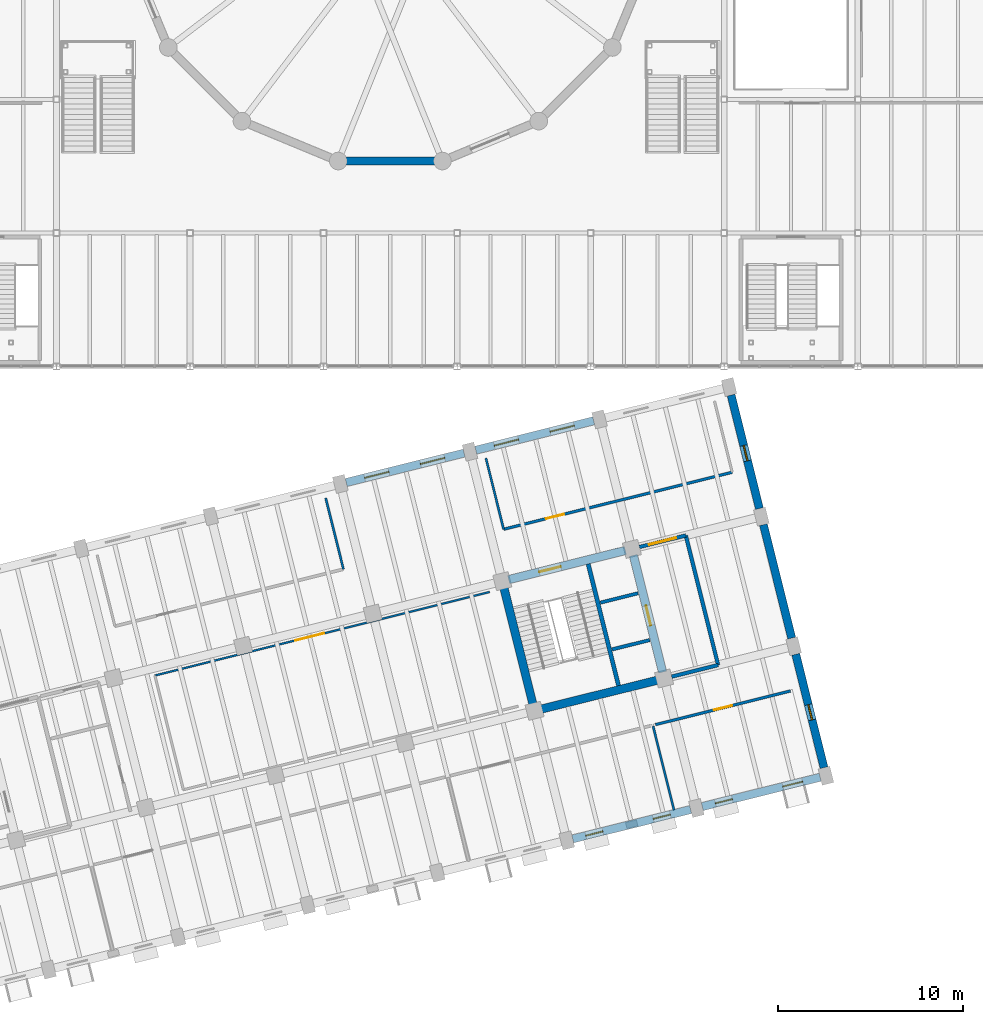
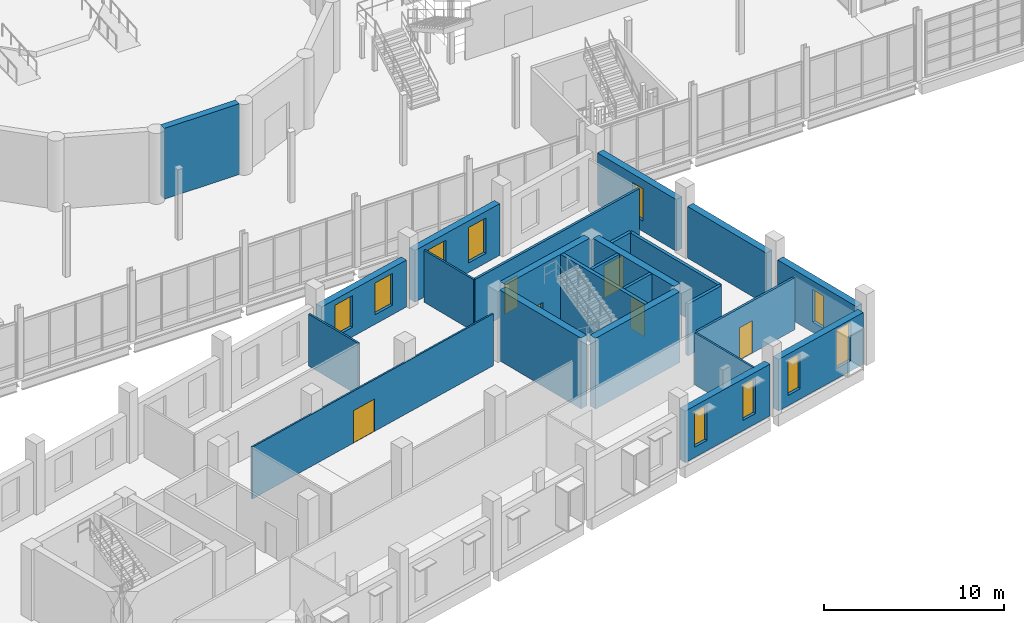
# One storey, part 63 of 77: 24 walls, 10 windows, 6 doors, 16 openings.
"""IFC4 building model written with IfcOpenShell, lengths in metres."""

import ifcopenshell
import ifcopenshell.guid

model = None  # the IFC model being written
_history = None  # IfcOwnerHistory: only IFC2X3 demands one
_inside = {}  # id of a spatial element -> (the spatial element, [elements in it])
_under = {}  # id of a project, library or spatial element -> (it, [spatial elements below it])
_declared = {}  # id of a project -> (the project, [libraries it declares])
_typed = {}  # id of a type object -> (the type object, [elements of that type])
_made_of = {}  # id of a material, layer set ... -> (it, [elements and type objects made of it])


def new_model(schema):
    """Start an empty IFC model of exactly this schema.

    Asked for "IFC4X3", IfcOpenShell would pick the latest addendum, in which some entities
    have other attributes; the version numbers below select the first issue.
    IFC2X3 requires an IfcOwnerHistory on every rooted entity: one is made here for all.
    """
    global model, _history
    if schema == "IFC4X3":
        model = ifcopenshell.file(schema_version=(4, 3, 0, 0))
    else:
        model = ifcopenshell.file(schema=schema)
    _inside.clear()
    _under.clear()
    _declared.clear()
    _typed.clear()
    _made_of.clear()
    _history = None
    if model.schema == "IFC2X3":
        org = make("IfcOrganization", Name="unknown")
        user = make(
            "IfcPersonAndOrganization",
            ThePerson=make("IfcPerson", FamilyName="unknown"),
            TheOrganization=org,
        )
        app = make(
            "IfcApplication",
            ApplicationDeveloper=org,
            Version="unknown",
            ApplicationFullName="unknown",
            ApplicationIdentifier="unknown",
        )
        _history = make(
            "IfcOwnerHistory",
            OwningUser=user,
            OwningApplication=app,
            ChangeAction="ADDED",
            CreationDate=0,
        )
    return model


def make(cls, **values):
    """One entity of the class cls with the attributes given. An attribute that is None is left unset."""
    return model.create_entity(
        cls, **{name: value for name, value in values.items() if value is not None}
    )


def rooted(cls, **values):
    """An entity with a GlobalId (a new one), such as an element, a storey or a relation."""
    return make(cls, GlobalId=ifcopenshell.guid.new(), OwnerHistory=_history, **values)


def si_unit(unit_type, name, prefix=None):
    """IfcSIUnit, for example si_unit("LENGTHUNIT", "METRE", prefix="MILLI")."""
    return make("IfcSIUnit", UnitType=unit_type, Prefix=prefix, Name=name)


def assignment(units):
    """IfcUnitAssignment: the units of a project."""
    return None if units is None else make("IfcUnitAssignment", Units=units)


def point(xyz):
    """IfcCartesianPoint."""
    return None if xyz is None else make("IfcCartesianPoint", Coordinates=xyz)


def direction(xyz):
    """IfcDirection."""
    return None if xyz is None else make("IfcDirection", DirectionRatios=xyz)


def frame(location, z_axis=None, x_axis=None):
    """IfcAxis2Placement3D, a coordinate frame: its origin and axes. An axis left out is left unset."""
    return make(
        "IfcAxis2Placement3D",
        Location=point(location),
        Axis=direction(z_axis),
        RefDirection=direction(x_axis),
    )


def frame_2d(location, x_axis=None):
    """IfcAxis2Placement2D, a coordinate frame in the plane: its origin and x axis."""
    return make(
        "IfcAxis2Placement2D", Location=point(location), RefDirection=direction(x_axis)
    )


def origin():
    """The frame at (0, 0, 0) with its axes left unset."""
    return frame((0.0, 0.0, 0.0))


def place(relative_to, where):
    """IfcLocalPlacement: puts the frame where relative to a parent placement (None: the world)."""
    return make(
        "IfcLocalPlacement", PlacementRelTo=relative_to, RelativePlacement=where
    )


def context(
    kind, dimensions, precision=None, world=None, true_north=None, identifier=None
):
    """IfcGeometricRepresentationContext, for example the 3D "Model" context."""
    return make(
        "IfcGeometricRepresentationContext",
        ContextIdentifier=identifier,
        ContextType=kind,
        CoordinateSpaceDimension=dimensions,
        Precision=precision,
        WorldCoordinateSystem=world,
        TrueNorth=true_north,
    )


def subcontext(parent, identifier, kind, view, scale=None):
    """IfcGeometricRepresentationSubContext, for example "Body" below "Model"."""
    return make(
        "IfcGeometricRepresentationSubContext",
        ContextIdentifier=identifier,
        ContextType=kind,
        ParentContext=parent,
        TargetScale=scale,
        TargetView=view,
    )


def project(units=None, contexts=None):
    """IfcProject with its units and contexts."""
    return rooted(
        "IfcProject",
        Name="project",
        RepresentationContexts=contexts,
        UnitsInContext=assignment(units),
    )


def spatial(cls, under=None, at=None, **own):
    """A site, building, storey or space (cls), placed at a placement, below another one or the project."""
    s = rooted(cls, ObjectPlacement=at, **own)
    if under is not None:
        _under.setdefault(under.id(), (under, []))[1].append(s)
    return s


def profile(cls, at=None, kind="AREA", **sizes):
    """A parametric profile (cls). Its sizes go by their IFC names, for example OverallWidth=200.0."""
    return make(cls, ProfileType=kind, Position=at, **sizes)


def rectangle(**sizes):
    """IfcRectangleProfileDef."""
    return profile("IfcRectangleProfileDef", **sizes)


def extrude(swept, where, along, depth):
    """IfcExtrudedAreaSolid: the profile swept, set in the frame where, extruded along a direction by depth."""
    return make(
        "IfcExtrudedAreaSolid",
        SweptArea=swept,
        Position=where,
        ExtrudedDirection=direction(along),
        Depth=depth,
    )


def shape(context_of_items, identifier, shape_type, items):
    """IfcShapeRepresentation: the items that make up one representation, for example the "Body"."""
    return make(
        "IfcShapeRepresentation",
        ContextOfItems=context_of_items,
        RepresentationIdentifier=identifier,
        RepresentationType=shape_type,
        Items=items,
    )


def material(Name=None, Category=None):
    """IfcMaterial."""
    return make("IfcMaterial", Name=Name, Category=Category)


def layer(
    of_material, thickness, ventilated=None, Name=None, Category=None, Priority=None
):
    """IfcMaterialLayer: one layer of a wall or slab, of a material (None: an air gap)."""
    return make(
        "IfcMaterialLayer",
        Material=of_material,
        LayerThickness=thickness,
        IsVentilated=ventilated,
        Name=Name,
        Category=Category,
        Priority=Priority,
    )


def layer_set(layers, Name=None):
    """IfcMaterialLayerSet."""
    return make("IfcMaterialLayerSet", MaterialLayers=layers, LayerSetName=Name)


def made_of(thing, what):
    """Note that an element or type object is made of a material, layer set ...; save() writes the relation."""
    if what is not None:
        _made_of.setdefault(what.id(), (what, []))[1].append(thing)
    return thing


def type_object(cls, material=None, **own):
    """A type object (cls), such as IfcWallType, which elements share."""
    return made_of(rooted(cls, **own), material)


def element(
    cls,
    number,
    at=None,
    inside=None,
    cuts=None,
    type_object=None,
    material=None,
    context=None,
    identifier="Body",
    shape_type=None,
    held_by="IfcProductDefinitionShape",
    body=None,
    shapes=None,
    **own,
):
    """One element of the class cls, such as IfcWall. Its Tag is "e" and its number.

    at: its placement. inside: the storey or other place that contains it. cuts: it is an
    opening in that element (IfcRelVoidsElement). A single representation is given by context,
    identifier, shape_type and body (its items); several are given by shapes. held_by: the class
    of the entity that holds the representations. save() writes the other relations.
    """
    e = rooted(cls, Tag="e%d" % number, ObjectPlacement=at, **own)
    if body is not None:
        shapes = [shape(context, identifier, shape_type, body)]
    if shapes is not None:
        e.Representation = make(held_by, Representations=shapes)
    if inside is not None:
        _inside.setdefault(inside.id(), (inside, []))[1].append(e)
    if cuts is not None:
        rooted(
            "IfcRelVoidsElement", RelatingBuildingElement=cuts, RelatedOpeningElement=e
        )
    if type_object is not None:
        _typed.setdefault(type_object.id(), (type_object, []))[1].append(e)
    return made_of(e, material)


def fill(opening, filler):
    """IfcRelFillsElement: the door or window that sits in an opening."""
    return rooted(
        "IfcRelFillsElement",
        RelatingOpeningElement=opening,
        RelatedBuildingElement=filler,
    )


def aggregate(whole, parts):
    """IfcRelAggregates: a whole, such as a stair, and the parts it consists of."""
    return rooted("IfcRelAggregates", RelatingObject=whole, RelatedObjects=parts)


def save(model, path):
    """Write the relations noted so far, then the file.

    IfcRelAggregates (storeys below a building ...), IfcRelContainedInSpatialStructure (elements
    in a storey), IfcRelDefinesByType, IfcRelAssociatesMaterial and IfcRelDeclares: one each for
    every whole, place, type object, material and project.
    """
    for whole, parts in _under.values():
        aggregate(whole, parts)
    for where, things in _inside.values():
        rooted(
            "IfcRelContainedInSpatialStructure",
            RelatedElements=things,
            RelatingStructure=where,
        )
    for kind, things in _typed.values():
        rooted("IfcRelDefinesByType", RelatedObjects=things, RelatingType=kind)
    for what, things in _made_of.values():
        rooted("IfcRelAssociatesMaterial", RelatedObjects=things, RelatingMaterial=what)
    for by, libraries in _declared.values():
        rooted("IfcRelDeclares", RelatingContext=by, RelatedDefinitions=libraries)
    model.write(path)


model = new_model("IFC4")

# Units and contexts
model_context = context("Model", 3, precision=1e-05, world=origin(), true_north=direction((0.0, 1.0)))
body_context = subcontext(model_context, "Body", "Model", "MODEL_VIEW")
ifc_project = project(units=[si_unit("LENGTHUNIT", "METRE"), si_unit("AREAUNIT", "SQUARE_METRE"), si_unit("VOLUMEUNIT", "CUBIC_METRE"), si_unit("PLANEANGLEUNIT", "RADIAN"), si_unit("MASSUNIT", "GRAM", prefix="KILO")], contexts=[model_context])

# Site, building, storey
site_placement = place(None, origin())
site = spatial("IfcSite", under=ifc_project, at=site_placement, CompositionType="ELEMENT")
building_placement = place(site_placement, origin())
building = spatial("IfcBuilding", under=site, at=building_placement, Name="Qiaolan Assembly House", CompositionType="ELEMENT")
storey_placement = place(building_placement, frame((0.0, 0.0, 5.39990234375)))
storey = spatial("IfcBuildingStorey", under=building, at=storey_placement, Name="L01", CompositionType="ELEMENT", Elevation=5.39990234375)

# Wall
ifc_material_1 = material(Name="Concrete C50/60", Category="concrete")
ifc_layer_1 = layer(ifc_material_1, 0.449951171875)
ifc_layer_set_1 = layer_set([ifc_layer_1], Name="Concrete C50/60")
wall_type_1 = type_object("IfcWallType", Name="WAL-CORE-450", PredefinedType="SHEAR", material=ifc_layer_set_1)
wall_1_placement = place(storey_placement, frame((76.5146484375, 17.521728515625, 0.0), z_axis=(0.0, 0.0, 1.0), x_axis=(0.970294759049, 0.241925774902, 0.0)))
element("IfcWall", 1, at=wall_1_placement, inside=storey, type_object=wall_type_1, Name="CW-450 shear core wall CORE-D S L01", PredefinedType="SHEAR", context=body_context, shape_type="SweptSolid", body=[
    extrude(rectangle(XDim=6.5, YDim=0.449951171875, at=frame_2d((3.25, 0.0))), origin(), (0.0, 0.0, 1.0), 4.800048828125),
])

# Wall, opening, door
wall_2_placement = place(storey_placement, frame((83.076416015625, 19.5185546875, 0.0), z_axis=(0.0, 0.0, 1.0), x_axis=(-0.241925774902, 0.970294759049, 0.0)))
wall_2 = element("IfcWall", 2, at=wall_2_placement, inside=storey, type_object=wall_type_1, Name="CW-450 shear core wall CORE-D E L01", PredefinedType="SHEAR", context=body_context, shape_type="SweptSolid", body=[
    extrude(rectangle(XDim=6.5, YDim=0.449951171875, at=frame_2d((3.25, 0.0))), origin(), (0.0, 0.0, 1.0), 4.800048828125),
])
opening_1_placement = place(wall_2_placement, frame((2.60009765625, 0.0, 0.0)))
opening_1 = element("IfcOpeningElement", 3, at=opening_1_placement, cuts=wall_2, Name="Opening LD-059", PredefinedType="OPENING", context=body_context, shape_type="SweptSolid", body=[
    extrude(rectangle(XDim=1.10009765625, YDim=2.199951171875, at=frame_2d((0.550048828125, 1.10009765625))), frame((0.0, 0.23486328125, 0.0), z_axis=(0.0, -1.0, 0.0), x_axis=(1.0, 0.0, 0.0)), (0.0, 0.0, 1.0), 0.469970703125),
])
ifc_material_2 = material(Name="Anodised bronze aluminium", Category="aluminium")
door_type_1 = type_object("IfcDoorType", Name="DOR-LIFT-LD1100", OperationType="SLIDING_TO_LEFT", PredefinedType="DOOR", material=ifc_material_2)
door_1_placement = place(opening_1_placement, origin())
door_1 = element("IfcDoor", 4, at=door_1_placement, inside=storey, type_object=door_type_1, Name="Lift landing door LD-059 (LF-08 L01)", OperationType="SLIDING_TO_LEFT", OverallHeight=2.199951171875, OverallWidth=1.10009765625, PredefinedType="DOOR", context=body_context, shape_type="SweptSolid", body=[
    extrude(rectangle(XDim=1.10009765625, YDim=2.199951171875, at=frame_2d((0.550048828125, 1.10009765625))), frame((0.0, 0.02490234375, 0.0), z_axis=(0.0, -1.0, 0.0), x_axis=(1.0, 0.0, 0.0)), (0.0, 0.0, 1.0), 0.050048828125),
])
fill(opening_1, door_1)

wall_3_placement = place(storey_placement, frame((81.07958984375, 26.08056640625, 0.0), z_axis=(0.0, 0.0, 1.0), x_axis=(-0.970294759049, -0.241925774902, 0.0)))
wall_3 = element("IfcWall", 5, at=wall_3_placement, inside=storey, type_object=wall_type_1, Name="CW-450 shear core wall CORE-D N L01", PredefinedType="SHEAR", context=body_context, shape_type="SweptSolid", body=[
    extrude(rectangle(XDim=6.5, YDim=0.449951171875, at=frame_2d((3.25, 0.0))), origin(), (0.0, 0.0, 1.0), 4.800048828125),
])
opening_2_placement = place(wall_3_placement, frame((3.60009765625, 0.0, 0.0)))
opening_2 = element("IfcOpeningElement", 6, at=opening_2_placement, cuts=wall_3, Name="Opening FD-097", PredefinedType="OPENING", context=body_context, shape_type="SweptSolid", body=[
    extrude(rectangle(XDim=1.199951171875, YDim=2.199951171875, at=frame_2d((0.60009765625, 1.10009765625))), frame((0.0, 0.23486328125, 0.0), z_axis=(0.0, -1.0, 0.0), x_axis=(1.0, 0.0, 0.0)), (0.0, 0.0, 1.0), 0.469970703125),
])
ifc_material_3 = material(Name="Steel Q355B", Category="steel")
door_type_2 = type_object("IfcDoorType", Name="DOR-FIRE-FD90-1200", OperationType="NOTDEFINED", PredefinedType="DOOR", material=ifc_material_3)
door_2_placement = place(opening_2_placement, frame((1.199951171875, 0.0, 0.0), z_axis=(0.0, 0.0, 1.0), x_axis=(-1.0, 0.0, 0.0)))
door_2 = element("IfcDoor", 7, at=door_2_placement, inside=storey, type_object=door_type_2, Name="Stairwell fire door FD-097 (CORE-D L01)", OperationType="SINGLE_SWING_RIGHT", OverallHeight=2.199951171875, OverallWidth=1.199951171875, PredefinedType="DOOR", context=body_context, shape_type="SweptSolid", body=[
    extrude(rectangle(XDim=1.199951171875, YDim=2.199951171875, at=frame_2d((0.60009765625, 1.10009765625))), frame((0.0, 0.02490234375, 0.0), z_axis=(0.0, -1.0, 0.0), x_axis=(1.0, 0.0, 0.0)), (0.0, 0.0, 1.0), 0.050048828125),
])
fill(opening_2, door_2)

# Walls
wall_4_placement = place(storey_placement, frame((74.517822265625, 24.083740234375, 0.0), z_axis=(0.0, 0.0, 1.0), x_axis=(0.241925774902, -0.970294759049, 0.0)))
element("IfcWall", 8, at=wall_4_placement, inside=storey, type_object=wall_type_1, Name="CW-450 shear core wall CORE-D W L01", PredefinedType="SHEAR", context=body_context, shape_type="SweptSolid", body=[
    extrude(rectangle(XDim=6.5, YDim=0.449951171875, at=frame_2d((3.25, 0.0))), origin(), (0.0, 0.0, 1.0), 4.800048828125),
])
ifc_layer_2 = layer(ifc_material_1, 0.419921875)
ifc_layer_set_2 = layer_set([ifc_layer_2], Name="Concrete C50/60")
wall_type_2 = type_object("IfcWallType", Name="WAL-DRUM-420", PredefinedType="SHEAR", material=ifc_layer_set_2)
wall_5_placement = place(storey_placement, frame((70.809326171875, 47.07666015625, 0.0), z_axis=(0.0, 0.0, 1.0), x_axis=(-1.0, 0.0, 0.0)))
element("IfcWall", 9, at=wall_5_placement, inside=storey, type_object=wall_type_2, Name="DW-420 council chamber drum wall 12 L01", PredefinedType="SHEAR", context=body_context, shape_type="SweptSolid", body=[
    extrude(rectangle(XDim=4.818603515625, YDim=0.419921875, at=frame_2d((2.4091796875, 0.0))), origin(), (0.0, 0.0, 1.0), 4.800048828125),
])

# Wall, openings, windows
ifc_material_4 = material(Name="Honed pale limestone", Category="masonry")
ifc_layer_3 = layer(ifc_material_4, 0.43505859375)
ifc_layer_set_3 = layer_set([ifc_layer_3], Name="Honed pale limestone")
wall_type_3 = type_object("IfcWallType", Name="WAL-EXT-RUSTIC-420", PredefinedType="SOLIDWALL", material=ifc_layer_set_3)
wall_6_placement = place(storey_placement, frame((78.230224609375, 10.529052734375, 0.0), z_axis=(0.0, 0.0, 1.0), x_axis=(0.970291317579, 0.24193957723, 0.0)))
wall_6 = element("IfcWall", 10, at=wall_6_placement, inside=storey, type_object=wall_type_3, Name="EW-420 SE South boulevard wall L01 bay 7", PredefinedType="SOLIDWALL", context=body_context, shape_type="SweptSolid", body=[
    extrude(rectangle(XDim=6.55419921875, YDim=0.43505859375, at=frame_2d((3.277099609375, 0.0))), origin(), (0.0, 0.0, 1.0), 3.5),
])
opening_3_placement = place(wall_6_placement, frame((0.72705078125, 0.0, 0.699951171875)))
opening_3 = element("IfcOpeningElement", 11, at=opening_3_placement, cuts=wall_6, Name="Opening WN-258", PredefinedType="OPENING", context=body_context, shape_type="SweptSolid", body=[
    extrude(rectangle(XDim=0.949951171875, YDim=2.39990234375, at=frame_2d((0.47509765625, 1.199951171875))), frame((0.0, 0.2275390625, 0.0), z_axis=(0.0, -1.0, 0.0), x_axis=(1.0, 0.0, 0.0)), (0.0, 0.0, 1.0), 0.455078125),
])
opening_4_placement = place(wall_6_placement, frame((4.47705078125, 0.0, 0.699951171875)))
opening_4 = element("IfcOpeningElement", 12, at=opening_4_placement, cuts=wall_6, Name="Opening WN-259", PredefinedType="OPENING", context=body_context, shape_type="SweptSolid", body=[
    extrude(rectangle(XDim=0.949951171875, YDim=2.39990234375, at=frame_2d((0.47509765625, 1.199951171875))), frame((0.0, 0.2275390625, 0.0), z_axis=(0.0, -1.0, 0.0), x_axis=(1.0, 0.0, 0.0)), (0.0, 0.0, 1.0), 0.455078125),
])
ifc_material_5 = material(Name="Low-E double insulating glass", Category="glass")
window_type_1 = type_object("IfcWindowType", Name="WIN-PUNCH-950x2400", PartitioningType="SINGLE_PANEL", PredefinedType="WINDOW", material=ifc_material_5)
window_1_placement = place(opening_3_placement, origin())
window_1 = element("IfcWindow", 13, at=window_1_placement, inside=storey, type_object=window_type_1, Name="WN-T06 splayed window WN-258", OverallHeight=2.39990234375, OverallWidth=0.949951171875, PartitioningType="SINGLE_PANEL", PredefinedType="WINDOW", context=body_context, shape_type="SweptSolid", body=[
    extrude(rectangle(XDim=0.949951171875, YDim=2.39990234375, at=frame_2d((0.47509765625, 1.199951171875))), frame((0.0, 0.030029296875, 0.0), z_axis=(0.0, -1.0, 0.0), x_axis=(1.0, 0.0, 0.0)), (0.0, 0.0, 1.0), 0.06005859375),
])
fill(opening_3, window_1)
window_2_placement = place(opening_4_placement, origin())
window_2 = element("IfcWindow", 14, at=window_2_placement, inside=storey, type_object=window_type_1, Name="WN-T06 splayed window WN-259", OverallHeight=2.39990234375, OverallWidth=0.949951171875, PartitioningType="SINGLE_PANEL", PredefinedType="WINDOW", context=body_context, shape_type="SweptSolid", body=[
    extrude(rectangle(XDim=0.949951171875, YDim=2.39990234375, at=frame_2d((0.47509765625, 1.199951171875))), frame((0.0, 0.030029296875, 0.0), z_axis=(0.0, -1.0, 0.0), x_axis=(1.0, 0.0, 0.0)), (0.0, 0.0, 1.0), 0.06005859375),
])
fill(opening_4, window_2)

wall_7_placement = place(storey_placement, frame((85.21630859375, 12.27099609375, 0.0), z_axis=(0.0, 0.0, 1.0), x_axis=(0.970300061562, 0.241904507055, 0.0)))
wall_7 = element("IfcWall", 15, at=wall_7_placement, inside=storey, type_object=wall_type_3, Name="EW-420 SE South boulevard wall L01 bay 8", PredefinedType="SOLIDWALL", context=body_context, shape_type="SweptSolid", body=[
    extrude(rectangle(XDim=6.553955078125, YDim=0.43505859375, at=frame_2d((3.27685546875, 0.0))), origin(), (0.0, 0.0, 1.0), 3.5),
])
opening_5_placement = place(wall_7_placement, frame((0.72705078125, 0.0, 0.699951171875)))
opening_5 = element("IfcOpeningElement", 16, at=opening_5_placement, cuts=wall_7, Name="Opening WN-260", PredefinedType="OPENING", context=body_context, shape_type="SweptSolid", body=[
    extrude(rectangle(XDim=0.949951171875, YDim=2.39990234375, at=frame_2d((0.47509765625, 1.199951171875))), frame((0.0, 0.2275390625, 0.0), z_axis=(0.0, -1.0, 0.0), x_axis=(1.0, 0.0, 0.0)), (0.0, 0.0, 1.0), 0.455078125),
])
opening_6_placement = place(wall_7_placement, frame((4.47705078125, 0.0, 0.699951171875)))
opening_6 = element("IfcOpeningElement", 17, at=opening_6_placement, cuts=wall_7, Name="Opening WN-261", PredefinedType="OPENING", context=body_context, shape_type="SweptSolid", body=[
    extrude(rectangle(XDim=1.10009765625, YDim=2.60009765625, at=frame_2d((0.550048828125, 1.300048828125))), frame((0.0, 0.2275390625, 0.0), z_axis=(0.0, -1.0, 0.0), x_axis=(1.0, 0.0, 0.0)), (0.0, 0.0, 1.0), 0.455078125),
])
window_type_2 = type_object("IfcWindowType", Name="WIN-BOX-1100x2600", PartitioningType="SINGLE_PANEL", PredefinedType="WINDOW", material=ifc_material_5)
window_3_placement = place(opening_6_placement, origin())
window_3 = element("IfcWindow", 18, at=window_3_placement, inside=storey, type_object=window_type_2, Name="WN-T02 splayed window WN-261", OverallHeight=2.60009765625, OverallWidth=1.10009765625, PartitioningType="SINGLE_PANEL", PredefinedType="WINDOW", context=body_context, shape_type="SweptSolid", body=[
    extrude(rectangle(XDim=1.10009765625, YDim=2.60009765625, at=frame_2d((0.550048828125, 1.300048828125))), frame((0.0, 0.030029296875, 0.0), z_axis=(0.0, -1.0, 0.0), x_axis=(1.0, 0.0, 0.0)), (0.0, 0.0, 1.0), 0.06005859375),
])
fill(opening_6, window_3)
window_4_placement = place(opening_5_placement, origin())
window_4 = element("IfcWindow", 19, at=window_4_placement, inside=storey, type_object=window_type_1, Name="WN-T06 splayed window WN-260", OverallHeight=2.39990234375, OverallWidth=0.949951171875, PartitioningType="SINGLE_PANEL", PredefinedType="WINDOW", context=body_context, shape_type="SweptSolid", body=[
    extrude(rectangle(XDim=0.949951171875, YDim=2.39990234375, at=frame_2d((0.47509765625, 1.199951171875))), frame((0.0, 0.030029296875, 0.0), z_axis=(0.0, -1.0, 0.0), x_axis=(1.0, 0.0, 0.0)), (0.0, 0.0, 1.0), 0.06005859375),
])
fill(opening_5, window_4)

wall_8_placement = place(storey_placement, frame((72.3779296875, 31.331298828125, 0.0), z_axis=(0.0, 0.0, 1.0), x_axis=(-0.970291317579, -0.24193957723, 0.0)))
wall_8 = element("IfcWall", 20, at=wall_8_placement, inside=storey, type_object=wall_type_3, Name="EW-420 SE North court wall L01 bay 6", PredefinedType="SOLIDWALL", context=body_context, shape_type="SweptSolid", body=[
    extrude(rectangle(XDim=6.55419921875, YDim=0.43505859375, at=frame_2d((3.277099609375, 0.0))), origin(), (0.0, 0.0, 1.0), 3.18017578125),
])
opening_7_placement = place(wall_8_placement, frame((1.076904296875, 0.0, 0.64990234375)))
opening_7 = element("IfcOpeningElement", 21, at=opening_7_placement, cuts=wall_8, Name="Opening WN-272", PredefinedType="OPENING", context=body_context, shape_type="SweptSolid", body=[
    extrude(rectangle(XDim=1.35009765625, YDim=2.14990234375, at=frame_2d((0.675048828125, 1.074951171875))), frame((0.0, 0.2275390625, 0.0), z_axis=(0.0, -1.0, 0.0), x_axis=(1.0, 0.0, 0.0)), (0.0, 0.0, 1.0), 0.455078125),
])
opening_8_placement = place(wall_8_placement, frame((4.177001953125, 0.0, 0.64990234375)))
opening_8 = element("IfcOpeningElement", 22, at=opening_8_placement, cuts=wall_8, Name="Opening WN-273", PredefinedType="OPENING", context=body_context, shape_type="SweptSolid", body=[
    extrude(rectangle(XDim=1.35009765625, YDim=2.14990234375, at=frame_2d((0.675048828125, 1.074951171875))), frame((0.0, 0.2275390625, 0.0), z_axis=(0.0, -1.0, 0.0), x_axis=(1.0, 0.0, 0.0)), (0.0, 0.0, 1.0), 0.455078125),
])
window_type_3 = type_object("IfcWindowType", Name="WIN-COURT-1350x2150", PartitioningType="DOUBLE_PANEL_VERTICAL", PredefinedType="WINDOW", material=ifc_material_5)
window_5_placement = place(opening_7_placement, origin())
window_5 = element("IfcWindow", 23, at=window_5_placement, inside=storey, type_object=window_type_3, Name="SE court window WN-272", OverallHeight=2.14990234375, OverallWidth=1.35009765625, PartitioningType="DOUBLE_PANEL_VERTICAL", PredefinedType="WINDOW", context=body_context, shape_type="SweptSolid", body=[
    extrude(rectangle(XDim=1.35009765625, YDim=2.14990234375, at=frame_2d((0.675048828125, 1.074951171875))), frame((0.0, 0.030029296875, 0.0), z_axis=(0.0, -1.0, 0.0), x_axis=(1.0, 0.0, 0.0)), (0.0, 0.0, 1.0), 0.06005859375),
])
fill(opening_7, window_5)
window_6_placement = place(opening_8_placement, origin())
window_6 = element("IfcWindow", 24, at=window_6_placement, inside=storey, type_object=window_type_3, Name="SE court window WN-273", OverallHeight=2.14990234375, OverallWidth=1.35009765625, PartitioningType="DOUBLE_PANEL_VERTICAL", PredefinedType="WINDOW", context=body_context, shape_type="SweptSolid", body=[
    extrude(rectangle(XDim=1.35009765625, YDim=2.14990234375, at=frame_2d((0.675048828125, 1.074951171875))), frame((0.0, 0.030029296875, 0.0), z_axis=(0.0, -1.0, 0.0), x_axis=(1.0, 0.0, 0.0)), (0.0, 0.0, 1.0), 0.06005859375),
])
fill(opening_8, window_6)

wall_9_placement = place(storey_placement, frame((79.364013671875, 33.072998046875, 0.0), z_axis=(0.0, 0.0, 1.0), x_axis=(-0.970300061562, -0.241904507055, 0.0)))
wall_9 = element("IfcWall", 25, at=wall_9_placement, inside=storey, type_object=wall_type_3, Name="EW-420 SE North court wall L01 bay 7", PredefinedType="SOLIDWALL", context=body_context, shape_type="SweptSolid", body=[
    extrude(rectangle(XDim=6.553955078125, YDim=0.43505859375, at=frame_2d((3.27685546875, 0.0))), origin(), (0.0, 0.0, 1.0), 3.5),
])
opening_9_placement = place(wall_9_placement, frame((1.076904296875, 0.0, 0.64990234375)))
opening_9 = element("IfcOpeningElement", 26, at=opening_9_placement, cuts=wall_9, Name="Opening WN-274", PredefinedType="OPENING", context=body_context, shape_type="SweptSolid", body=[
    extrude(rectangle(XDim=1.35009765625, YDim=2.39990234375, at=frame_2d((0.675048828125, 1.199951171875))), frame((0.0, 0.2275390625, 0.0), z_axis=(0.0, -1.0, 0.0), x_axis=(1.0, 0.0, 0.0)), (0.0, 0.0, 1.0), 0.455078125),
])
opening_10_placement = place(wall_9_placement, frame((4.177001953125, 0.0, 0.64990234375)))
opening_10 = element("IfcOpeningElement", 27, at=opening_10_placement, cuts=wall_9, Name="Opening WN-275", PredefinedType="OPENING", context=body_context, shape_type="SweptSolid", body=[
    extrude(rectangle(XDim=1.35009765625, YDim=2.39990234375, at=frame_2d((0.675048828125, 1.199951171875))), frame((0.0, 0.2275390625, 0.0), z_axis=(0.0, -1.0, 0.0), x_axis=(1.0, 0.0, 0.0)), (0.0, 0.0, 1.0), 0.455078125),
])
window_type_4 = type_object("IfcWindowType", Name="WIN-COURT-1350x2400", PartitioningType="DOUBLE_PANEL_VERTICAL", PredefinedType="WINDOW", material=ifc_material_5)
window_7_placement = place(opening_9_placement, origin())
window_7 = element("IfcWindow", 28, at=window_7_placement, inside=storey, type_object=window_type_4, Name="SE court window WN-274", OverallHeight=2.39990234375, OverallWidth=1.35009765625, PartitioningType="DOUBLE_PANEL_VERTICAL", PredefinedType="WINDOW", context=body_context, shape_type="SweptSolid", body=[
    extrude(rectangle(XDim=1.35009765625, YDim=2.39990234375, at=frame_2d((0.675048828125, 1.199951171875))), frame((0.0, 0.030029296875, 0.0), z_axis=(0.0, -1.0, 0.0), x_axis=(1.0, 0.0, 0.0)), (0.0, 0.0, 1.0), 0.06005859375),
])
fill(opening_9, window_7)
window_8_placement = place(opening_10_placement, origin())
window_8 = element("IfcWindow", 29, at=window_8_placement, inside=storey, type_object=window_type_4, Name="SE court window WN-275", OverallHeight=2.39990234375, OverallWidth=1.35009765625, PartitioningType="DOUBLE_PANEL_VERTICAL", PredefinedType="WINDOW", context=body_context, shape_type="SweptSolid", body=[
    extrude(rectangle(XDim=1.35009765625, YDim=2.39990234375, at=frame_2d((0.675048828125, 1.199951171875))), frame((0.0, 0.030029296875, 0.0), z_axis=(0.0, -1.0, 0.0), x_axis=(1.0, 0.0, 0.0)), (0.0, 0.0, 1.0), 0.06005859375),
])
fill(opening_10, window_8)

# Wall, opening, window
wall_10_placement = place(storey_placement, frame((91.78076171875, 14.369384765625, 0.0), z_axis=(0.0, 0.0, 1.0), x_axis=(-0.241934154531, 0.970292669699, 0.0)))
wall_10 = element("IfcWall", 30, at=wall_10_placement, inside=storey, type_object=wall_type_3, Name="SE East wall L01-1", PredefinedType="SOLIDWALL", context=body_context, shape_type="SweptSolid", body=[
    extrude(rectangle(XDim=6.303955078125, YDim=0.43505859375, at=frame_2d((3.15185546875, 0.0))), origin(), (0.0, 0.0, 1.0), 3.5),
])
opening_11_placement = place(wall_10_placement, frame((2.652099609375, 0.0, 0.699951171875)))
opening_11 = element("IfcOpeningElement", 31, at=opening_11_placement, cuts=wall_10, Name="Opening WN-278", PredefinedType="OPENING", context=body_context, shape_type="SweptSolid", body=[
    extrude(rectangle(XDim=0.85009765625, YDim=2.199951171875, at=frame_2d((0.425048828125, 1.10009765625))), frame((0.0, 0.2275390625, 0.0), z_axis=(0.0, -1.0, 0.0), x_axis=(1.0, 0.0, 0.0)), (0.0, 0.0, 1.0), 0.455078125),
])
window_type_5 = type_object("IfcWindowType", Name="WIN-END-850x2200", PartitioningType="SINGLE_PANEL", PredefinedType="WINDOW", material=ifc_material_5)
window_9_placement = place(opening_11_placement, origin())
window_9 = element("IfcWindow", 32, at=window_9_placement, inside=storey, type_object=window_type_5, Name="SE East window WN-278", OverallHeight=2.199951171875, OverallWidth=0.85009765625, PartitioningType="SINGLE_PANEL", PredefinedType="WINDOW", context=body_context, shape_type="SweptSolid", body=[
    extrude(rectangle(XDim=0.85009765625, YDim=2.199951171875, at=frame_2d((0.425048828125, 1.10009765625))), frame((0.0, 0.030029296875, 0.0), z_axis=(0.0, -1.0, 0.0), x_axis=(1.0, 0.0, 0.0)), (0.0, 0.0, 1.0), 0.06005859375),
])
fill(opening_11, window_9)

# Wall
wall_11_placement = place(storey_placement, frame((90.038818359375, 21.35546875, 0.0), z_axis=(0.0, 0.0, 1.0), x_axis=(-0.241934154531, 0.970292669699, 0.0)))
element("IfcWall", 33, at=wall_11_placement, inside=storey, type_object=wall_type_3, Name="SE East wall L01-2", PredefinedType="SOLIDWALL", context=body_context, shape_type="SweptSolid", body=[
    extrude(rectangle(XDim=6.303955078125, YDim=0.43505859375, at=frame_2d((3.15185546875, 0.0))), origin(), (0.0, 0.0, 1.0), 3.5),
])

# Wall, opening, window
wall_12_placement = place(storey_placement, frame((88.296875, 28.341552734375, 0.0), z_axis=(0.0, 0.0, 1.0), x_axis=(-0.241888603038, 0.970304026437, 0.0)))
wall_12 = element("IfcWall", 34, at=wall_12_placement, inside=storey, type_object=wall_type_3, Name="SE East wall L01-3", PredefinedType="SOLIDWALL", context=body_context, shape_type="SweptSolid", body=[
    extrude(rectangle(XDim=6.30419921875, YDim=0.43505859375, at=frame_2d((3.152099609375, 0.0))), origin(), (0.0, 0.0, 1.0), 3.5),
])
opening_12_placement = place(wall_12_placement, frame((2.652099609375, 0.0, 0.699951171875)))
opening_12 = element("IfcOpeningElement", 35, at=opening_12_placement, cuts=wall_12, Name="Opening WN-279", PredefinedType="OPENING", context=body_context, shape_type="SweptSolid", body=[
    extrude(rectangle(XDim=0.85009765625, YDim=2.199951171875, at=frame_2d((0.425048828125, 1.10009765625))), frame((0.0, 0.2275390625, 0.0), z_axis=(0.0, -1.0, 0.0), x_axis=(1.0, 0.0, 0.0)), (0.0, 0.0, 1.0), 0.455078125),
])
window_10_placement = place(opening_12_placement, origin())
window_10 = element("IfcWindow", 36, at=window_10_placement, inside=storey, type_object=window_type_5, Name="SE East window WN-279", OverallHeight=2.199951171875, OverallWidth=0.85009765625, PartitioningType="SINGLE_PANEL", PredefinedType="WINDOW", context=body_context, shape_type="SweptSolid", body=[
    extrude(rectangle(XDim=0.85009765625, YDim=2.199951171875, at=frame_2d((0.425048828125, 1.10009765625))), frame((0.0, 0.030029296875, 0.0), z_axis=(0.0, -1.0, 0.0), x_axis=(1.0, 0.0, 0.0)), (0.0, 0.0, 1.0), 0.06005859375),
])
fill(opening_12, window_10)

# Walls
ifc_material_6 = material(Name="Concrete C35/45", Category="concrete")
ifc_layer_4 = layer(ifc_material_6, 0.199951171875)
ifc_layer_set_4 = layer_set([ifc_layer_4], Name="Concrete C35/45")
wall_type_4 = type_object("IfcWallType", Name="WAL-LOBBY-200", PredefinedType="PARTITIONING", material=ifc_layer_set_4)
wall_13_placement = place(storey_placement, frame((86.072021484375, 19.90478515625, 0.0), z_axis=(0.0, 0.0, 1.0), x_axis=(-0.241937193493, 0.970291911955, 0.0)))
element("IfcWall", 37, at=wall_13_placement, inside=storey, type_object=wall_type_4, Name="Firefighting lift lobby east wall CORE-D L01", PredefinedType="PARTITIONING", context=body_context, shape_type="SweptSolid", body=[
    extrude(rectangle(XDim=7.199951171875, YDim=0.199951171875, at=frame_2d((3.60009765625, 0.0))), origin(), (0.0, 0.0, 1.0), 3.52001953125),
])
wall_14_placement = place(storey_placement, frame((83.568603515625, 19.280517578125, 0.0), z_axis=(0.0, 0.0, 1.0), x_axis=(0.970287048366, 0.241956698135, 0.0)))
element("IfcWall", 38, at=wall_14_placement, inside=storey, type_object=wall_type_4, Name="Firefighting lift lobby south wall CORE-D L01", PredefinedType="PARTITIONING", context=body_context, shape_type="SweptSolid", body=[
    extrude(rectangle(XDim=2.580078125, YDim=0.199951171875, at=frame_2d((1.2900390625, 0.0))), origin(), (0.0, 0.0, 1.0), 3.52001953125),
])

# Wall, opening, door
wall_15_placement = place(storey_placement, frame((84.330078125, 26.890869140625, 0.0), z_axis=(0.0, 0.0, 1.0), x_axis=(-0.970309259708, -0.2418676095, 0.0)))
wall_15 = element("IfcWall", 39, at=wall_15_placement, inside=storey, type_object=wall_type_4, Name="Firefighting lift lobby north wall CORE-D L01", PredefinedType="PARTITIONING", context=body_context, shape_type="SweptSolid", body=[
    extrude(rectangle(XDim=2.580078125, YDim=0.199951171875, at=frame_2d((1.2900390625, 0.0))), origin(), (0.0, 0.0, 1.0), 3.52001953125),
])
opening_13_placement = place(wall_15_placement, frame((0.550048828125, 0.0, 0.0)))
opening_13 = element("IfcOpeningElement", 40, at=opening_13_placement, cuts=wall_15, Name="Opening FD-098", PredefinedType="OPENING", context=body_context, shape_type="SweptSolid", body=[
    extrude(rectangle(XDim=1.5, YDim=2.199951171875, at=frame_2d((0.75, 1.10009765625))), frame((0.0, 0.10986328125, 0.0), z_axis=(0.0, -1.0, 0.0), x_axis=(1.0, 0.0, 0.0)), (0.0, 0.0, 1.0), 0.219970703125),
])
ifc_material_7 = material(Name="Acoustic oak panelling")
door_type_3 = type_object("IfcDoorType", Name="DOR-LOBBY-FD60-1500", OperationType="DOUBLE_DOOR_SINGLE_SWING", PredefinedType="DOOR", material=ifc_material_7)
door_3_placement = place(opening_13_placement, frame((1.5, 0.0, 0.0), z_axis=(0.0, 0.0, 1.0), x_axis=(-1.0, 0.0, 0.0)))
door_3 = element("IfcDoor", 41, at=door_3_placement, inside=storey, type_object=door_type_3, Name="Lobby corridor fire door FD-098", OperationType="DOUBLE_DOOR_SINGLE_SWING", OverallHeight=2.199951171875, OverallWidth=1.5, PredefinedType="DOOR", context=body_context, shape_type="SweptSolid", body=[
    extrude(rectangle(XDim=1.5, YDim=2.199951171875, at=frame_2d((0.75, 1.10009765625))), frame((0.0, 0.02490234375, 0.0), z_axis=(0.0, -1.0, 0.0), x_axis=(1.0, 0.0, 0.0)), (0.0, 0.0, 1.0), 0.050048828125),
])
fill(opening_13, door_3)

# Walls
ifc_material_8 = material(Name="Gypsum plasterboard partition")
ifc_layer_5 = layer(ifc_material_8, 0.1201171875)
ifc_layer_set_5 = layer_set([ifc_layer_5], Name="Gypsum plasterboard partition")
wall_type_5 = type_object("IfcWallType", Name="WAL-PART-120", PredefinedType="PARTITIONING", material=ifc_layer_set_5)
wall_16_placement = place(storey_placement, frame((83.695068359375, 12.0771484375, 0.0), z_axis=(0.0, 0.0, 1.0), x_axis=(-0.241945139998, 0.970289930501, 0.0)))
element("IfcWall", 42, at=wall_16_placement, inside=storey, type_object=wall_type_5, Name="Service Centre Back-Office & Cashier demising wall", PredefinedType="PARTITIONING", context=body_context, shape_type="SweptSolid", body=[
    extrude(rectangle(XDim=4.669921875, YDim=0.1201171875, at=frame_2d((2.3349609375, 0.0))), origin(), (0.0, 0.0, 1.0), 3.52001953125),
])
for number, where, z_axis, x_axis, name in (
    (43, (64.91650390625, 28.904052734375, 0.0), (0.0, 0.0, 1.0), (0.241924747697, -0.970295015164, 0.0), "Court Outlook Consultation Suite L01 east wall"),
    (44, (74.507568359375, 27.224609375, 0.0), (0.0, 0.0, 1.0), (-0.241924747697, 0.970295015164, 0.0), "Boulevard Wing Project Office L01 west wall"),
):
    element("IfcWall", number, at=place(storey_placement, frame(where, z_axis=z_axis, x_axis=x_axis)), inside=storey, type_object=wall_type_5, Name=name, PredefinedType="PARTITIONING", context=body_context, shape_type="SweptSolid", body=[
        extrude(rectangle(XDim=3.949951171875, YDim=0.1201171875, at=frame_2d((1.97509765625, 0.0))), origin(), (0.0, 0.0, 1.0), 3.52001953125),
    ])

# Wall, opening, door
ifc_layer_6 = layer(ifc_material_8, 0.14990234375)
ifc_layer_set_6 = layer_set([ifc_layer_6], Name="Gypsum plasterboard partition")
wall_type_6 = type_object("IfcWallType", Name="WAL-PART-150", PredefinedType="PARTITIONING", material=ifc_layer_set_6)
wall_17_placement = place(storey_placement, frame((82.69873046875, 16.693359375, 0.0), z_axis=(0.0, 0.0, 1.0), x_axis=(0.970293585014, 0.241930483572, 0.0)))
wall_17 = element("IfcWall", 45, at=wall_17_placement, inside=storey, type_object=wall_type_6, Name="Service Centre Back-Office & Cashier north wall", PredefinedType="PARTITIONING", context=body_context, shape_type="SweptSolid", body=[
    extrude(rectangle(XDim=7.5, YDim=0.14990234375, at=frame_2d((3.75, 0.0))), origin(), (0.0, 0.0, 1.0), 3.52001953125),
])
opening_14_placement = place(wall_17_placement, frame((3.25, 0.0, 0.0)))
opening_14 = element("IfcOpeningElement", 46, at=opening_14_placement, cuts=wall_17, Name="Opening SD-244", PredefinedType="OPENING", context=body_context, shape_type="SweptSolid", body=[
    extrude(rectangle(XDim=1.0, YDim=2.199951171875, at=frame_2d((0.5, 1.10009765625))), frame((0.0, 0.0849609375, 0.0), z_axis=(0.0, -1.0, 0.0), x_axis=(1.0, 0.0, 0.0)), (0.0, 0.0, 1.0), 0.169921875),
])
door_type_4 = type_object("IfcDoorType", Name="DOR-OFF-SGL-1000", OperationType="NOTDEFINED", PredefinedType="DOOR", material=ifc_material_7)
door_4_placement = place(opening_14_placement, origin())
door_4 = element("IfcDoor", 47, at=door_4_placement, inside=storey, type_object=door_type_4, Name="Service Centre Back-Office & Cashier door SD-244", OperationType="SINGLE_SWING_RIGHT", OverallHeight=2.199951171875, OverallWidth=1.0, PredefinedType="DOOR", context=body_context, shape_type="SweptSolid", body=[
    extrude(rectangle(XDim=1.0, YDim=2.199951171875, at=frame_2d((0.5, 1.10009765625))), frame((0.0, 0.02490234375, 0.0), z_axis=(0.0, -1.0, 0.0), x_axis=(1.0, 0.0, 0.0)), (0.0, 0.0, 1.0), 0.050048828125),
])
fill(opening_14, door_4)

wall_18_placement = place(storey_placement, frame((74.507568359375, 27.224609375, 0.0), z_axis=(0.0, 0.0, 1.0), x_axis=(0.970298350757, 0.241911369139, 0.0)))
wall_18 = element("IfcWall", 48, at=wall_18_placement, inside=storey, type_object=wall_type_6, Name="Boulevard Wing Project Office L01 south wall", PredefinedType="PARTITIONING", context=body_context, shape_type="SweptSolid", body=[
    extrude(rectangle(XDim=12.699951171875, YDim=0.14990234375, at=frame_2d((6.35009765625, 0.0))), origin(), (0.0, 0.0, 1.0), 3.52001953125),
])
opening_15_placement = place(wall_18_placement, frame((2.35009765625, 0.0, 0.0)))
opening_15 = element("IfcOpeningElement", 49, at=opening_15_placement, cuts=wall_18, Name="Opening SD-247", PredefinedType="OPENING", context=body_context, shape_type="SweptSolid", body=[
    extrude(rectangle(XDim=1.0, YDim=2.14990234375, at=frame_2d((0.5, 1.074951171875))), frame((0.0, 0.0849609375, 0.0), z_axis=(0.0, -1.0, 0.0), x_axis=(1.0, 0.0, 0.0)), (0.0, 0.0, 1.0), 0.169921875),
])
door_5_placement = place(opening_15_placement, origin())
door_5 = element("IfcDoor", 50, at=door_5_placement, inside=storey, type_object=door_type_4, Name="Boulevard Wing Project Office L01 door SD-247", OperationType="SINGLE_SWING_RIGHT", OverallHeight=2.14990234375, OverallWidth=1.0, PredefinedType="DOOR", context=body_context, shape_type="SweptSolid", body=[
    extrude(rectangle(XDim=1.0, YDim=2.14990234375, at=frame_2d((0.5, 1.074951171875))), frame((0.0, 0.02490234375, 0.0), z_axis=(0.0, -1.0, 0.0), x_axis=(1.0, 0.0, 0.0)), (0.0, 0.0, 1.0), 0.050048828125),
])
fill(opening_15, door_5)

ifc_layer_7 = layer(ifc_material_5, 0.10498046875)
ifc_layer_set_7 = layer_set([ifc_layer_7], Name="Low-E double insulating glass")
wall_type_7 = type_object("IfcWallType", Name="WAL-PART-GLAZED-120", PredefinedType="PARTITIONING", material=ifc_layer_set_7)
wall_19_placement = place(storey_placement, frame((73.753662109375, 23.841552734375, 0.0), z_axis=(0.0, 0.0, 1.0), x_axis=(-0.970295954135, -0.241920981706, 0.0)))
wall_19 = element("IfcWall", 51, at=wall_19_placement, inside=storey, type_object=wall_type_7, Name="Property Title & Cadastre Counter Hall glazed partition", PredefinedType="PARTITIONING", context=body_context, shape_type="SweptSolid", body=[
    extrude(rectangle(XDim=18.60009765625, YDim=0.10498046875, at=frame_2d((9.300048828125, 0.0))), origin(), (0.0, 0.0, 1.0), 3.52001953125),
])
opening_16_placement = place(wall_19_placement, frame((9.199951171875, 0.0, 0.0)))
opening_16 = element("IfcOpeningElement", 52, at=opening_16_placement, cuts=wall_19, Name="Opening SD-245", PredefinedType="OPENING", context=body_context, shape_type="SweptSolid", body=[
    extrude(rectangle(XDim=1.60009765625, YDim=2.199951171875, at=frame_2d((0.800048828125, 1.10009765625))), frame((0.0, 0.0625, 0.0), z_axis=(0.0, -1.0, 0.0), x_axis=(1.0, 0.0, 0.0)), (0.0, 0.0, 1.0), 0.125),
])
door_type_5 = type_object("IfcDoorType", Name="DOR-COMM-DBL-1600", OperationType="DOUBLE_DOOR_SINGLE_SWING", PredefinedType="DOOR", material=ifc_material_7)
door_6_placement = place(opening_16_placement, origin())
door_6 = element("IfcDoor", 53, at=door_6_placement, inside=storey, type_object=door_type_5, Name="Property Title & Cadastre Counter Hall door SD-245", OperationType="DOUBLE_DOOR_SINGLE_SWING", OverallHeight=2.199951171875, OverallWidth=1.60009765625, PredefinedType="DOOR", context=body_context, shape_type="SweptSolid", body=[
    extrude(rectangle(XDim=1.60009765625, YDim=2.199951171875, at=frame_2d((0.800048828125, 1.10009765625))), frame((0.0, 0.02490234375, 0.0), z_axis=(0.0, -1.0, 0.0), x_axis=(1.0, 0.0, 0.0)), (0.0, 0.0, 1.0), 0.050048828125),
])
fill(opening_16, door_6)

# Walls
ifc_layer_8 = layer(ifc_material_6, 0.18505859375)
ifc_layer_set_8 = layer_set([ifc_layer_8], Name="Concrete C35/45")
wall_type_8 = type_object("IfcWallType", Name="WAL-SHAFT-200", PredefinedType="PARTITIONING", material=ifc_layer_set_8)
for number, where, z_axis, x_axis, name in (
    (54, (80.3486328125, 20.7451171875, 0.0), (0.0, 0.0, 1.0), (0.970292765557, 0.241933770084, 0.0), "SW-200 lift shaft wall LF-08 L01 DIVS"),
    (55, (79.7197265625, 23.267822265625, 0.0), (0.0, 0.0, 1.0), (0.970292765557, 0.241933770084, 0.0), "SW-200 lift shaft wall LF-08 L01 DIVN"),
):
    element("IfcWall", number, at=place(storey_placement, frame(where, z_axis=z_axis, x_axis=x_axis)), inside=storey, type_object=wall_type_8, Name=name, PredefinedType="PARTITIONING", context=body_context, shape_type="SweptSolid", body=[
        extrude(rectangle(XDim=2.10009765625, YDim=0.18505859375, at=frame_2d((1.050048828125, 0.0))), origin(), (0.0, 0.0, 1.0), 4.800048828125),
    ])
ifc_material_9 = material(Name="Concrete C40/50", Category="concrete")
ifc_layer_9 = layer(ifc_material_9, 0.22509765625)
ifc_layer_set_9 = layer_set([ifc_layer_9], Name="Concrete C40/50")
wall_type_9 = type_object("IfcWallType", Name="WAL-STAIR-DIV-225", PredefinedType="SHEAR", material=ifc_layer_set_9)
wall_20_placement = place(storey_placement, frame((80.701416015625, 18.79248046875, 0.0), z_axis=(0.0, 0.0, 1.0), x_axis=(-0.241898249226, 0.970301621673, 0.0)))
element("IfcWall", 56, at=wall_20_placement, inside=storey, type_object=wall_type_9, Name="SDW-225 stairwell structural spine wall CORE-D L01", PredefinedType="SHEAR", context=body_context, shape_type="SweptSolid", body=[
    extrude(rectangle(XDim=6.760009765625, YDim=0.22509765625, at=frame_2d((3.3798828125, 0.0))), origin(), (0.0, 0.0, 1.0), 4.800048828125),
])

save(model, "model.ifc")
